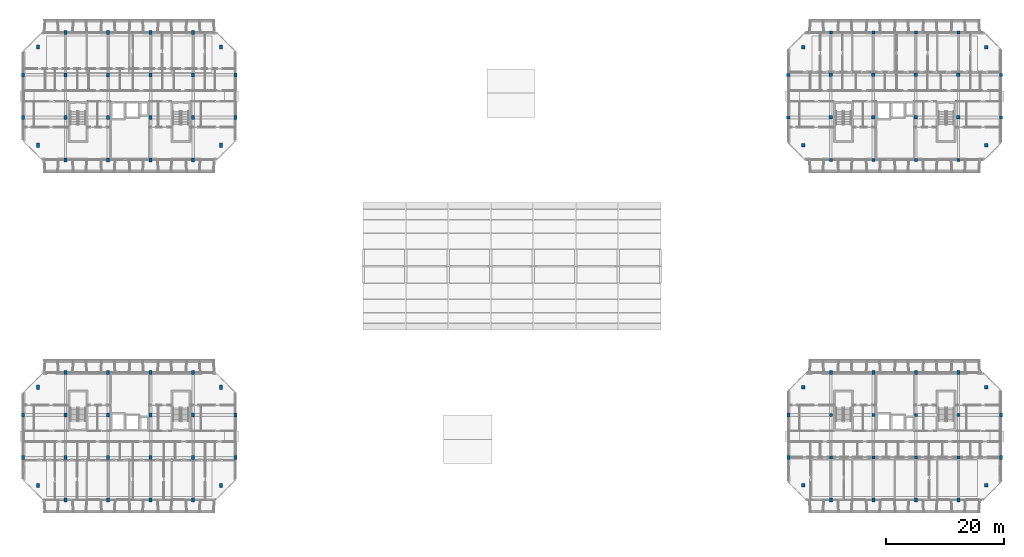
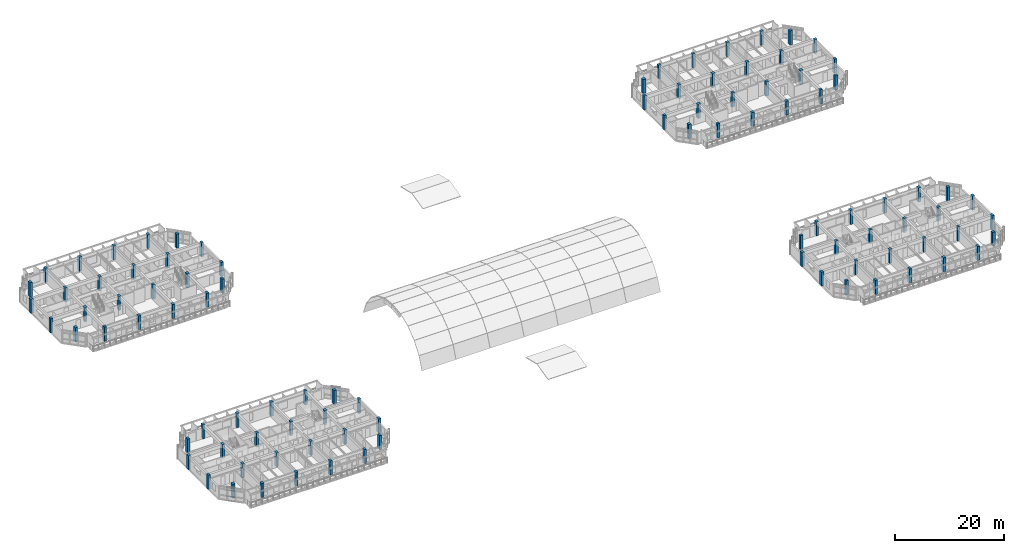
# One storey, part 1 of 51: 96 columns.
"""IFC4 building model written with IfcOpenShell, lengths in metres."""

import ifcopenshell
import ifcopenshell.guid

model = None  # the IFC model being written
_history = None  # IfcOwnerHistory: only IFC2X3 demands one
_inside = {}  # id of a spatial element -> (the spatial element, [elements in it])
_under = {}  # id of a project, library or spatial element -> (it, [spatial elements below it])
_declared = {}  # id of a project -> (the project, [libraries it declares])
_typed = {}  # id of a type object -> (the type object, [elements of that type])
_made_of = {}  # id of a material, layer set ... -> (it, [elements and type objects made of it])


def new_model(schema):
    """Start an empty IFC model of exactly this schema.

    Asked for "IFC4X3", IfcOpenShell would pick the latest addendum, in which some entities
    have other attributes; the version numbers below select the first issue.
    IFC2X3 requires an IfcOwnerHistory on every rooted entity: one is made here for all.
    """
    global model, _history
    if schema == "IFC4X3":
        model = ifcopenshell.file(schema_version=(4, 3, 0, 0))
    else:
        model = ifcopenshell.file(schema=schema)
    _inside.clear()
    _under.clear()
    _declared.clear()
    _typed.clear()
    _made_of.clear()
    _history = None
    if model.schema == "IFC2X3":
        org = make("IfcOrganization", Name="unknown")
        user = make(
            "IfcPersonAndOrganization",
            ThePerson=make("IfcPerson", FamilyName="unknown"),
            TheOrganization=org,
        )
        app = make(
            "IfcApplication",
            ApplicationDeveloper=org,
            Version="unknown",
            ApplicationFullName="unknown",
            ApplicationIdentifier="unknown",
        )
        _history = make(
            "IfcOwnerHistory",
            OwningUser=user,
            OwningApplication=app,
            ChangeAction="ADDED",
            CreationDate=0,
        )
    return model


def make(cls, **values):
    """One entity of the class cls with the attributes given. An attribute that is None is left unset."""
    return model.create_entity(
        cls, **{name: value for name, value in values.items() if value is not None}
    )


def rooted(cls, **values):
    """An entity with a GlobalId (a new one), such as an element, a storey or a relation."""
    return make(cls, GlobalId=ifcopenshell.guid.new(), OwnerHistory=_history, **values)


def si_unit(unit_type, name, prefix=None):
    """IfcSIUnit, for example si_unit("LENGTHUNIT", "METRE", prefix="MILLI")."""
    return make("IfcSIUnit", UnitType=unit_type, Prefix=prefix, Name=name)


def assignment(units):
    """IfcUnitAssignment: the units of a project."""
    return None if units is None else make("IfcUnitAssignment", Units=units)


def point(xyz):
    """IfcCartesianPoint."""
    return None if xyz is None else make("IfcCartesianPoint", Coordinates=xyz)


def direction(xyz):
    """IfcDirection."""
    return None if xyz is None else make("IfcDirection", DirectionRatios=xyz)


def frame(location, z_axis=None, x_axis=None):
    """IfcAxis2Placement3D, a coordinate frame: its origin and axes. An axis left out is left unset."""
    return make(
        "IfcAxis2Placement3D",
        Location=point(location),
        Axis=direction(z_axis),
        RefDirection=direction(x_axis),
    )


def frame_2d(location, x_axis=None):
    """IfcAxis2Placement2D, a coordinate frame in the plane: its origin and x axis."""
    return make(
        "IfcAxis2Placement2D", Location=point(location), RefDirection=direction(x_axis)
    )


def origin():
    """The frame at (0, 0, 0) with its axes left unset."""
    return frame((0.0, 0.0, 0.0))


def origin_2d():
    """The frame at (0, 0) in the plane with its x axis left unset."""
    return frame_2d((0.0, 0.0))


def place(relative_to, where):
    """IfcLocalPlacement: puts the frame where relative to a parent placement (None: the world)."""
    return make(
        "IfcLocalPlacement", PlacementRelTo=relative_to, RelativePlacement=where
    )


def context(
    kind, dimensions, precision=None, world=None, true_north=None, identifier=None
):
    """IfcGeometricRepresentationContext, for example the 3D "Model" context."""
    return make(
        "IfcGeometricRepresentationContext",
        ContextIdentifier=identifier,
        ContextType=kind,
        CoordinateSpaceDimension=dimensions,
        Precision=precision,
        WorldCoordinateSystem=world,
        TrueNorth=true_north,
    )


def subcontext(parent, identifier, kind, view, scale=None):
    """IfcGeometricRepresentationSubContext, for example "Body" below "Model"."""
    return make(
        "IfcGeometricRepresentationSubContext",
        ContextIdentifier=identifier,
        ContextType=kind,
        ParentContext=parent,
        TargetScale=scale,
        TargetView=view,
    )


def project(units=None, contexts=None):
    """IfcProject with its units and contexts."""
    return rooted(
        "IfcProject",
        Name="project",
        RepresentationContexts=contexts,
        UnitsInContext=assignment(units),
    )


def spatial(cls, under=None, at=None, **own):
    """A site, building, storey or space (cls), placed at a placement, below another one or the project."""
    s = rooted(cls, ObjectPlacement=at, **own)
    if under is not None:
        _under.setdefault(under.id(), (under, []))[1].append(s)
    return s


def profile(cls, at=None, kind="AREA", **sizes):
    """A parametric profile (cls). Its sizes go by their IFC names, for example OverallWidth=200.0."""
    return make(cls, ProfileType=kind, Position=at, **sizes)


def rectangle(**sizes):
    """IfcRectangleProfileDef."""
    return profile("IfcRectangleProfileDef", **sizes)


def extrude(swept, where, along, depth):
    """IfcExtrudedAreaSolid: the profile swept, set in the frame where, extruded along a direction by depth."""
    return make(
        "IfcExtrudedAreaSolid",
        SweptArea=swept,
        Position=where,
        ExtrudedDirection=direction(along),
        Depth=depth,
    )


def shape(context_of_items, identifier, shape_type, items):
    """IfcShapeRepresentation: the items that make up one representation, for example the "Body"."""
    return make(
        "IfcShapeRepresentation",
        ContextOfItems=context_of_items,
        RepresentationIdentifier=identifier,
        RepresentationType=shape_type,
        Items=items,
    )


def material(Name=None, Category=None):
    """IfcMaterial."""
    return make("IfcMaterial", Name=Name, Category=Category)


def material_profile(
    of_material, cross_section, Name=None, Category=None, Priority=None
):
    """IfcMaterialProfile: a cross section and its material."""
    return make(
        "IfcMaterialProfile",
        Name=Name,
        Material=of_material,
        Profile=cross_section,
        Priority=Priority,
        Category=Category,
    )


def profile_set(profiles, Name=None, composite=None):
    """IfcMaterialProfileSet."""
    return make(
        "IfcMaterialProfileSet",
        Name=Name,
        MaterialProfiles=profiles,
        CompositeProfile=composite,
    )


def made_of(thing, what):
    """Note that an element or type object is made of a material, layer set ...; save() writes the relation."""
    if what is not None:
        _made_of.setdefault(what.id(), (what, []))[1].append(thing)
    return thing


def type_object(cls, material=None, **own):
    """A type object (cls), such as IfcWallType, which elements share."""
    return made_of(rooted(cls, **own), material)


def element(
    cls,
    number,
    at=None,
    inside=None,
    cuts=None,
    type_object=None,
    material=None,
    context=None,
    identifier="Body",
    shape_type=None,
    held_by="IfcProductDefinitionShape",
    body=None,
    shapes=None,
    **own,
):
    """One element of the class cls, such as IfcWall. Its Tag is "e" and its number.

    at: its placement. inside: the storey or other place that contains it. cuts: it is an
    opening in that element (IfcRelVoidsElement). A single representation is given by context,
    identifier, shape_type and body (its items); several are given by shapes. held_by: the class
    of the entity that holds the representations. save() writes the other relations.
    """
    e = rooted(cls, Tag="e%d" % number, ObjectPlacement=at, **own)
    if body is not None:
        shapes = [shape(context, identifier, shape_type, body)]
    if shapes is not None:
        e.Representation = make(held_by, Representations=shapes)
    if inside is not None:
        _inside.setdefault(inside.id(), (inside, []))[1].append(e)
    if cuts is not None:
        rooted(
            "IfcRelVoidsElement", RelatingBuildingElement=cuts, RelatedOpeningElement=e
        )
    if type_object is not None:
        _typed.setdefault(type_object.id(), (type_object, []))[1].append(e)
    return made_of(e, material)


def aggregate(whole, parts):
    """IfcRelAggregates: a whole, such as a stair, and the parts it consists of."""
    return rooted("IfcRelAggregates", RelatingObject=whole, RelatedObjects=parts)


def save(model, path):
    """Write the relations noted so far, then the file.

    IfcRelAggregates (storeys below a building ...), IfcRelContainedInSpatialStructure (elements
    in a storey), IfcRelDefinesByType, IfcRelAssociatesMaterial and IfcRelDeclares: one each for
    every whole, place, type object, material and project.
    """
    for whole, parts in _under.values():
        aggregate(whole, parts)
    for where, things in _inside.values():
        rooted(
            "IfcRelContainedInSpatialStructure",
            RelatedElements=things,
            RelatingStructure=where,
        )
    for kind, things in _typed.values():
        rooted("IfcRelDefinesByType", RelatedObjects=things, RelatingType=kind)
    for what, things in _made_of.values():
        rooted("IfcRelAssociatesMaterial", RelatedObjects=things, RelatingMaterial=what)
    for by, libraries in _declared.values():
        rooted("IfcRelDeclares", RelatingContext=by, RelatedDefinitions=libraries)
    model.write(path)


model = new_model("IFC4")

# Units and contexts
model_context = context("Model", 3, precision=1e-05, world=origin(), true_north=direction((0.0, 1.0)))
body_context = subcontext(model_context, "Body", "Model", "MODEL_VIEW")
ifc_project = project(units=[si_unit("LENGTHUNIT", "METRE"), si_unit("AREAUNIT", "SQUARE_METRE"), si_unit("VOLUMEUNIT", "CUBIC_METRE"), si_unit("PLANEANGLEUNIT", "RADIAN"), si_unit("MASSUNIT", "GRAM", prefix="KILO")], contexts=[model_context])

# Site, building, storey
site_placement = place(None, origin())
site = spatial("IfcSite", under=ifc_project, at=site_placement, CompositionType="ELEMENT")
building_placement = place(site_placement, origin())
building = spatial("IfcBuilding", under=site, at=building_placement, Name="Ochrevale Crest", CompositionType="ELEMENT")
storey_placement = place(building_placement, frame((0.0, 0.0, 11.85009765625)))
storey = spatial("IfcBuildingStorey", under=building, at=storey_placement, Name="L03", CompositionType="ELEMENT", Elevation=11.85009765625)

# Columns
ifc_material = material(Name="Precast concrete C50/60", Category="concrete")
ifc_material_profile_1 = material_profile(ifc_material, rectangle(XDim=0.5, YDim=0.64990234375, at=origin_2d()), Name="RC 500x650")
ifc_profile_set_1 = profile_set([ifc_material_profile_1], Name="Precast concrete C50/60")
column_type_1 = type_object("IfcColumnType", Name="COL-RC500x650", PredefinedType="COLUMN", material=ifc_profile_set_1)
for number, where, z_axis, x_axis, name in (
    (1, (0.0, 21.60009765625, 0.0), (0.0, 0.0, 1.0), (1.0, 0.0, 0.0), "Block A L03 column (0.0,21.6)"),
    (2, (0.0, 28.800048828125, 0.0), (0.0, 0.0, 1.0), (1.0, 0.0, 0.0), "Block A L03 column (0.0,28.8)"),
    (3, (7.199951171875, 14.39990234375, 0.0), (0.0, 0.0, 1.0), (1.0, 0.0, 0.0), "Block A L03 column (7.2,14.4)"),
    (4, (7.199951171875, 36.0, 0.0), (0.0, 0.0, 1.0), (1.0, 0.0, 0.0), "Block A L03 column (7.2,36.0)"),
    (5, (14.39990234375, 14.39990234375, 0.0), (0.0, 0.0, 1.0), (1.0, 0.0, 0.0), "Block A L03 column (14.4,14.4)"),
    (6, (14.39990234375, 36.0, 0.0), (0.0, 0.0, 1.0), (1.0, 0.0, 0.0), "Block A L03 column (14.4,36.0)"),
    (7, (21.60009765625, 14.39990234375, 0.0), (0.0, 0.0, 1.0), (1.0, 0.0, 0.0), "Block A L03 column (21.6,14.4)"),
    (8, (21.60009765625, 36.0, 0.0), (0.0, 0.0, 1.0), (1.0, 0.0, 0.0), "Block A L03 column (21.6,36.0)"),
    (9, (28.800048828125, 14.39990234375, 0.0), (0.0, 0.0, 1.0), (1.0, 0.0, 0.0), "Block A L03 column (28.8,14.4)"),
    (10, (28.800048828125, 36.0, 0.0), (0.0, 0.0, 1.0), (1.0, 0.0, 0.0), "Block A L03 column (28.8,36.0)"),
    (11, (36.0, 21.60009765625, 0.0), (0.0, 0.0, 1.0), (1.0, 0.0, 0.0), "Block A L03 column (36.0,21.6)"),
    (12, (36.0, 28.800048828125, 0.0), (0.0, 0.0, 1.0), (1.0, 0.0, 0.0), "Block A L03 column (36.0,28.8)"),
    (13, (0.0, 79.199951171875, 0.0), (0.0, 0.0, 1.0), (1.0, 0.0, 0.0), "Block B L03 column (0.0,79.2)"),
    (14, (0.0, 86.39990234375, 0.0), (0.0, 0.0, 1.0), (1.0, 0.0, 0.0), "Block B L03 column (0.0,86.4)"),
    (15, (7.199951171875, 72.0, 0.0), (0.0, 0.0, 1.0), (1.0, 0.0, 0.0), "Block B L03 column (7.2,72.0)"),
    (16, (7.199951171875, 93.60009765625, 0.0), (0.0, 0.0, 1.0), (1.0, 0.0, 0.0), "Block B L03 column (7.2,93.6)"),
    (17, (14.39990234375, 72.0, 0.0), (0.0, 0.0, 1.0), (1.0, 0.0, 0.0), "Block B L03 column (14.4,72.0)"),
    (18, (14.39990234375, 93.60009765625, 0.0), (0.0, 0.0, 1.0), (1.0, 0.0, 0.0), "Block B L03 column (14.4,93.6)"),
    (19, (21.60009765625, 72.0, 0.0), (0.0, 0.0, 1.0), (1.0, 0.0, 0.0), "Block B L03 column (21.6,72.0)"),
    (20, (21.60009765625, 93.60009765625, 0.0), (0.0, 0.0, 1.0), (1.0, 0.0, 0.0), "Block B L03 column (21.6,93.6)"),
    (21, (28.800048828125, 72.0, 0.0), (0.0, 0.0, 1.0), (1.0, 0.0, 0.0), "Block B L03 column (28.8,72.0)"),
    (22, (28.800048828125, 93.60009765625, 0.0), (0.0, 0.0, 1.0), (1.0, 0.0, 0.0), "Block B L03 column (28.8,93.6)"),
    (23, (36.0, 79.199951171875, 0.0), (0.0, 0.0, 1.0), (1.0, 0.0, 0.0), "Block B L03 column (36.0,79.2)"),
    (24, (36.0, 86.39990234375, 0.0), (0.0, 0.0, 1.0), (1.0, 0.0, 0.0), "Block B L03 column (36.0,86.4)"),
):
    element("IfcColumn", number, at=place(storey_placement, frame(where, z_axis=z_axis, x_axis=x_axis)), inside=storey, type_object=column_type_1, Name=name, PredefinedType="COLUMN", context=body_context, shape_type="SweptSolid", body=[
        extrude(rectangle(XDim=0.5, YDim=0.64990234375, at=origin_2d()), origin(), (0.0, 0.0, 1.0), 3.14990234375),
    ])
ifc_material_profile_2 = material_profile(ifc_material, rectangle(XDim=0.5, YDim=0.699951171875, at=origin_2d()), Name="RC 500x700")
ifc_profile_set_2 = profile_set([ifc_material_profile_2], Name="Precast concrete C50/60")
column_type_2 = type_object("IfcColumnType", Name="COL-RC500x700", PredefinedType="COLUMN", material=ifc_profile_set_2)
for number, where, z_axis, x_axis, name in (
    (25, (2.5, 16.89990234375, 0.0), (0.0, 0.0, 1.0), (1.0, 0.0, 0.0), "Block A L03 column (2.5,16.9)"),
    (26, (2.5, 33.5, 0.0), (0.0, 0.0, 1.0), (1.0, 0.0, 0.0), "Block A L03 column (2.5,33.5)"),
    (27, (7.199951171875, 21.60009765625, 0.0), (0.0, 0.0, 1.0), (1.0, 0.0, 0.0), "Block A L03 column (7.2,21.6)"),
    (28, (7.199951171875, 28.800048828125, 0.0), (0.0, 0.0, 1.0), (1.0, 0.0, 0.0), "Block A L03 column (7.2,28.8)"),
    (29, (14.39990234375, 21.60009765625, 0.0), (0.0, 0.0, 1.0), (1.0, 0.0, 0.0), "Block A L03 column (14.4,21.6)"),
    (30, (14.39990234375, 28.800048828125, 0.0), (0.0, 0.0, 1.0), (1.0, 0.0, 0.0), "Block A L03 column (14.4,28.8)"),
    (31, (21.60009765625, 21.60009765625, 0.0), (0.0, 0.0, 1.0), (1.0, 0.0, 0.0), "Block A L03 column (21.6,21.6)"),
    (32, (21.60009765625, 28.800048828125, 0.0), (0.0, 0.0, 1.0), (1.0, 0.0, 0.0), "Block A L03 column (21.6,28.8)"),
    (33, (28.800048828125, 21.60009765625, 0.0), (0.0, 0.0, 1.0), (1.0, 0.0, 0.0), "Block A L03 column (28.8,21.6)"),
    (34, (28.800048828125, 28.800048828125, 0.0), (0.0, 0.0, 1.0), (1.0, 0.0, 0.0), "Block A L03 column (28.8,28.8)"),
    (35, (33.5, 16.89990234375, 0.0), (0.0, 0.0, 1.0), (1.0, 0.0, 0.0), "Block A L03 column (33.5,16.9)"),
    (36, (33.5, 33.5, 0.0), (0.0, 0.0, 1.0), (1.0, 0.0, 0.0), "Block A L03 column (33.5,33.5)"),
    (37, (2.5, 74.5, 0.0), (0.0, 0.0, 1.0), (1.0, 0.0, 0.0), "Block B L03 column (2.5,74.5)"),
    (38, (2.5, 91.10009765625, 0.0), (0.0, 0.0, 1.0), (1.0, 0.0, 0.0), "Block B L03 column (2.5,91.1)"),
    (39, (7.199951171875, 79.199951171875, 0.0), (0.0, 0.0, 1.0), (1.0, 0.0, 0.0), "Block B L03 column (7.2,79.2)"),
    (40, (7.199951171875, 86.39990234375, 0.0), (0.0, 0.0, 1.0), (1.0, 0.0, 0.0), "Block B L03 column (7.2,86.4)"),
    (41, (14.39990234375, 79.199951171875, 0.0), (0.0, 0.0, 1.0), (1.0, 0.0, 0.0), "Block B L03 column (14.4,79.2)"),
    (42, (14.39990234375, 86.39990234375, 0.0), (0.0, 0.0, 1.0), (1.0, 0.0, 0.0), "Block B L03 column (14.4,86.4)"),
    (43, (21.60009765625, 79.199951171875, 0.0), (0.0, 0.0, 1.0), (1.0, 0.0, 0.0), "Block B L03 column (21.6,79.2)"),
    (44, (21.60009765625, 86.39990234375, 0.0), (0.0, 0.0, 1.0), (1.0, 0.0, 0.0), "Block B L03 column (21.6,86.4)"),
    (45, (28.800048828125, 79.199951171875, 0.0), (0.0, 0.0, 1.0), (1.0, 0.0, 0.0), "Block B L03 column (28.8,79.2)"),
    (46, (28.800048828125, 86.39990234375, 0.0), (0.0, 0.0, 1.0), (1.0, 0.0, 0.0), "Block B L03 column (28.8,86.4)"),
    (47, (33.5, 74.5, 0.0), (0.0, 0.0, 1.0), (1.0, 0.0, 0.0), "Block B L03 column (33.5,74.5)"),
    (48, (33.5, 91.10009765625, 0.0), (0.0, 0.0, 1.0), (1.0, 0.0, 0.0), "Block B L03 column (33.5,91.1)"),
    (49, (129.60009765625, 21.60009765625, 0.0), (0.0, 0.0, 1.0), (1.0, 0.0, 0.0), "Block C L03 column (129.6,21.6)"),
    (50, (129.60009765625, 28.800048828125, 0.0), (0.0, 0.0, 1.0), (1.0, 0.0, 0.0), "Block C L03 column (129.6,28.8)"),
    (51, (136.800048828125, 14.39990234375, 0.0), (0.0, 0.0, 1.0), (1.0, 0.0, 0.0), "Block C L03 column (136.8,14.4)"),
    (52, (136.800048828125, 36.0, 0.0), (0.0, 0.0, 1.0), (1.0, 0.0, 0.0), "Block C L03 column (136.8,36.0)"),
    (53, (144.0, 14.39990234375, 0.0), (0.0, 0.0, 1.0), (1.0, 0.0, 0.0), "Block C L03 column (144.0,14.4)"),
    (54, (144.0, 36.0, 0.0), (0.0, 0.0, 1.0), (1.0, 0.0, 0.0), "Block C L03 column (144.0,36.0)"),
    (55, (151.199951171875, 14.39990234375, 0.0), (0.0, 0.0, 1.0), (1.0, 0.0, 0.0), "Block C L03 column (151.2,14.4)"),
    (56, (151.199951171875, 36.0, 0.0), (0.0, 0.0, 1.0), (1.0, 0.0, 0.0), "Block C L03 column (151.2,36.0)"),
    (57, (158.39990234375, 14.39990234375, 0.0), (0.0, 0.0, 1.0), (1.0, 0.0, 0.0), "Block C L03 column (158.4,14.4)"),
    (58, (158.39990234375, 36.0, 0.0), (0.0, 0.0, 1.0), (1.0, 0.0, 0.0), "Block C L03 column (158.4,36.0)"),
    (59, (165.60009765625, 21.60009765625, 0.0), (0.0, 0.0, 1.0), (1.0, 0.0, 0.0), "Block C L03 column (165.6,21.6)"),
    (60, (165.60009765625, 28.800048828125, 0.0), (0.0, 0.0, 1.0), (1.0, 0.0, 0.0), "Block C L03 column (165.6,28.8)"),
):
    element("IfcColumn", number, at=place(storey_placement, frame(where, z_axis=z_axis, x_axis=x_axis)), inside=storey, type_object=column_type_2, Name=name, PredefinedType="COLUMN", context=body_context, shape_type="SweptSolid", body=[
        extrude(rectangle(XDim=0.5, YDim=0.699951171875, at=origin_2d()), origin(), (0.0, 0.0, 1.0), 3.14990234375),
    ])
ifc_material_profile_3 = material_profile(ifc_material, rectangle(XDim=0.550048828125, YDim=0.550048828125, at=origin_2d()), Name="RC 550x550")
ifc_profile_set_3 = profile_set([ifc_material_profile_3], Name="Precast concrete C50/60")
column_type_3 = type_object("IfcColumnType", Name="COL-RC550x550", PredefinedType="COLUMN", material=ifc_profile_set_3)
for number, where, z_axis, x_axis, name in (
    (61, (132.10009765625, 16.89990234375, 0.0), (0.0, 0.0, 1.0), (1.0, 0.0, 0.0), "Block C L03 column (132.1,16.9)"),
    (62, (132.10009765625, 33.5, 0.0), (0.0, 0.0, 1.0), (1.0, 0.0, 0.0), "Block C L03 column (132.1,33.5)"),
    (63, (136.800048828125, 21.60009765625, 0.0), (0.0, 0.0, 1.0), (1.0, 0.0, 0.0), "Block C L03 column (136.8,21.6)"),
    (64, (136.800048828125, 28.800048828125, 0.0), (0.0, 0.0, 1.0), (1.0, 0.0, 0.0), "Block C L03 column (136.8,28.8)"),
    (65, (144.0, 21.60009765625, 0.0), (0.0, 0.0, 1.0), (1.0, 0.0, 0.0), "Block C L03 column (144.0,21.6)"),
    (66, (144.0, 28.800048828125, 0.0), (0.0, 0.0, 1.0), (1.0, 0.0, 0.0), "Block C L03 column (144.0,28.8)"),
    (67, (151.199951171875, 21.60009765625, 0.0), (0.0, 0.0, 1.0), (1.0, 0.0, 0.0), "Block C L03 column (151.2,21.6)"),
    (68, (151.199951171875, 28.800048828125, 0.0), (0.0, 0.0, 1.0), (1.0, 0.0, 0.0), "Block C L03 column (151.2,28.8)"),
    (69, (158.39990234375, 21.60009765625, 0.0), (0.0, 0.0, 1.0), (1.0, 0.0, 0.0), "Block C L03 column (158.4,21.6)"),
    (70, (158.39990234375, 28.800048828125, 0.0), (0.0, 0.0, 1.0), (1.0, 0.0, 0.0), "Block C L03 column (158.4,28.8)"),
    (71, (163.10009765625, 16.89990234375, 0.0), (0.0, 0.0, 1.0), (1.0, 0.0, 0.0), "Block C L03 column (163.1,16.9)"),
    (72, (163.10009765625, 33.5, 0.0), (0.0, 0.0, 1.0), (1.0, 0.0, 0.0), "Block C L03 column (163.1,33.5)"),
    (73, (129.60009765625, 79.199951171875, 0.0), (0.0, 0.0, 1.0), (1.0, 0.0, 0.0), "Block D L03 column (129.6,79.2)"),
    (74, (129.60009765625, 86.39990234375, 0.0), (0.0, 0.0, 1.0), (1.0, 0.0, 0.0), "Block D L03 column (129.6,86.4)"),
    (75, (136.800048828125, 72.0, 0.0), (0.0, 0.0, 1.0), (1.0, 0.0, 0.0), "Block D L03 column (136.8,72.0)"),
    (76, (136.800048828125, 93.60009765625, 0.0), (0.0, 0.0, 1.0), (1.0, 0.0, 0.0), "Block D L03 column (136.8,93.6)"),
    (77, (144.0, 72.0, 0.0), (0.0, 0.0, 1.0), (1.0, 0.0, 0.0), "Block D L03 column (144.0,72.0)"),
    (78, (144.0, 93.60009765625, 0.0), (0.0, 0.0, 1.0), (1.0, 0.0, 0.0), "Block D L03 column (144.0,93.6)"),
    (79, (151.199951171875, 72.0, 0.0), (0.0, 0.0, 1.0), (1.0, 0.0, 0.0), "Block D L03 column (151.2,72.0)"),
    (80, (151.199951171875, 93.60009765625, 0.0), (0.0, 0.0, 1.0), (1.0, 0.0, 0.0), "Block D L03 column (151.2,93.6)"),
    (81, (158.39990234375, 72.0, 0.0), (0.0, 0.0, 1.0), (1.0, 0.0, 0.0), "Block D L03 column (158.4,72.0)"),
    (82, (158.39990234375, 93.60009765625, 0.0), (0.0, 0.0, 1.0), (1.0, 0.0, 0.0), "Block D L03 column (158.4,93.6)"),
    (83, (165.60009765625, 79.199951171875, 0.0), (0.0, 0.0, 1.0), (1.0, 0.0, 0.0), "Block D L03 column (165.6,79.2)"),
    (84, (165.60009765625, 86.39990234375, 0.0), (0.0, 0.0, 1.0), (1.0, 0.0, 0.0), "Block D L03 column (165.6,86.4)"),
):
    element("IfcColumn", number, at=place(storey_placement, frame(where, z_axis=z_axis, x_axis=x_axis)), inside=storey, type_object=column_type_3, Name=name, PredefinedType="COLUMN", context=body_context, shape_type="SweptSolid", body=[
        extrude(rectangle(XDim=0.550048828125, YDim=0.550048828125, at=origin_2d()), origin(), (0.0, 0.0, 1.0), 3.14990234375),
    ])
ifc_material_profile_4 = material_profile(ifc_material, rectangle(XDim=0.60009765625, YDim=0.60009765625, at=origin_2d()), Name="RC 600x600")
ifc_profile_set_4 = profile_set([ifc_material_profile_4], Name="Precast concrete C50/60")
column_type_4 = type_object("IfcColumnType", Name="COL-RC600x600", PredefinedType="COLUMN", material=ifc_profile_set_4)
for number, where, z_axis, x_axis, name in (
    (85, (132.10009765625, 74.5, 0.0), (0.0, 0.0, 1.0), (1.0, 0.0, 0.0), "Block D L03 column (132.1,74.5)"),
    (86, (132.10009765625, 91.10009765625, 0.0), (0.0, 0.0, 1.0), (1.0, 0.0, 0.0), "Block D L03 column (132.1,91.1)"),
    (87, (136.800048828125, 79.199951171875, 0.0), (0.0, 0.0, 1.0), (1.0, 0.0, 0.0), "Block D L03 column (136.8,79.2)"),
    (88, (136.800048828125, 86.39990234375, 0.0), (0.0, 0.0, 1.0), (1.0, 0.0, 0.0), "Block D L03 column (136.8,86.4)"),
    (89, (144.0, 79.199951171875, 0.0), (0.0, 0.0, 1.0), (1.0, 0.0, 0.0), "Block D L03 column (144.0,79.2)"),
    (90, (144.0, 86.39990234375, 0.0), (0.0, 0.0, 1.0), (1.0, 0.0, 0.0), "Block D L03 column (144.0,86.4)"),
    (91, (151.199951171875, 79.199951171875, 0.0), (0.0, 0.0, 1.0), (1.0, 0.0, 0.0), "Block D L03 column (151.2,79.2)"),
    (92, (151.199951171875, 86.39990234375, 0.0), (0.0, 0.0, 1.0), (1.0, 0.0, 0.0), "Block D L03 column (151.2,86.4)"),
    (93, (158.39990234375, 79.199951171875, 0.0), (0.0, 0.0, 1.0), (1.0, 0.0, 0.0), "Block D L03 column (158.4,79.2)"),
    (94, (158.39990234375, 86.39990234375, 0.0), (0.0, 0.0, 1.0), (1.0, 0.0, 0.0), "Block D L03 column (158.4,86.4)"),
    (95, (163.10009765625, 74.5, 0.0), (0.0, 0.0, 1.0), (1.0, 0.0, 0.0), "Block D L03 column (163.1,74.5)"),
    (96, (163.10009765625, 91.10009765625, 0.0), (0.0, 0.0, 1.0), (1.0, 0.0, 0.0), "Block D L03 column (163.1,91.1)"),
):
    element("IfcColumn", number, at=place(storey_placement, frame(where, z_axis=z_axis, x_axis=x_axis)), inside=storey, type_object=column_type_4, Name=name, PredefinedType="COLUMN", context=body_context, shape_type="SweptSolid", body=[
        extrude(rectangle(XDim=0.60009765625, YDim=0.60009765625, at=origin_2d()), origin(), (0.0, 0.0, 1.0), 3.14990234375),
    ])

save(model, "model.ifc")
